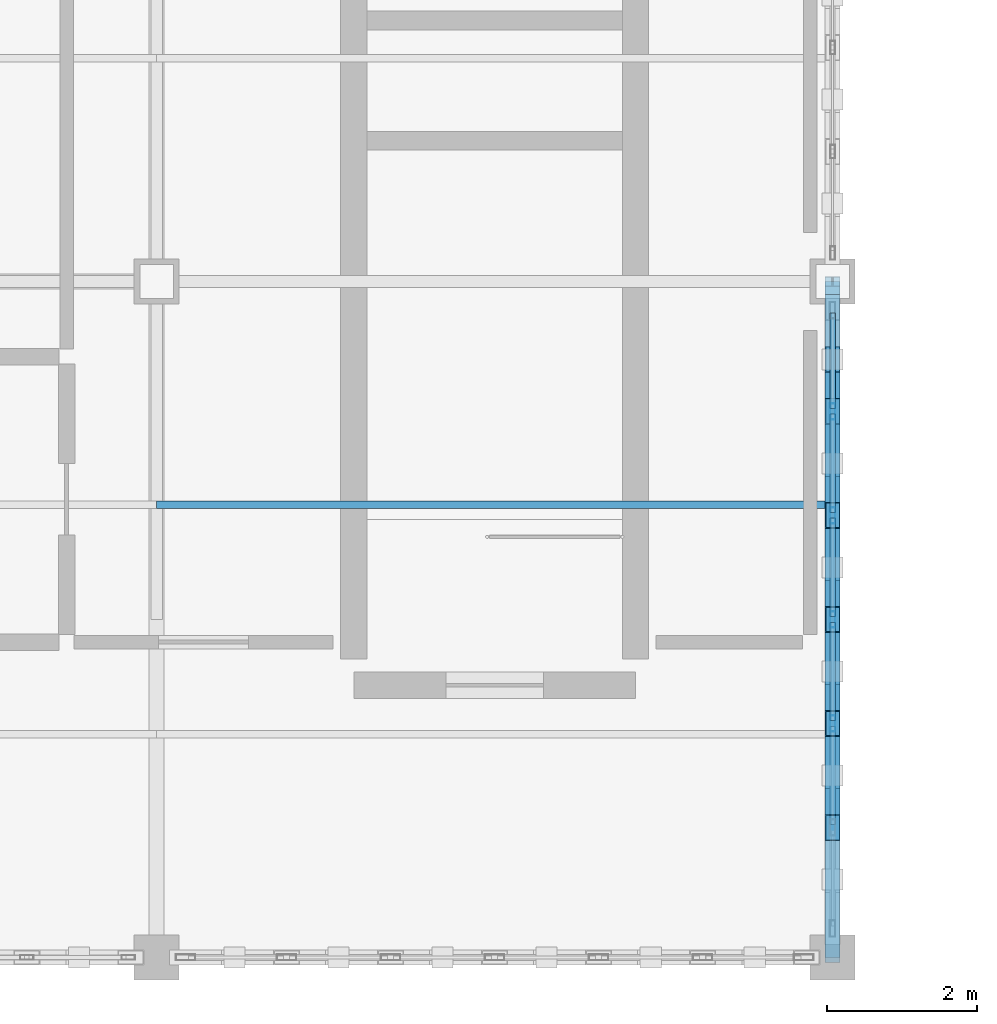
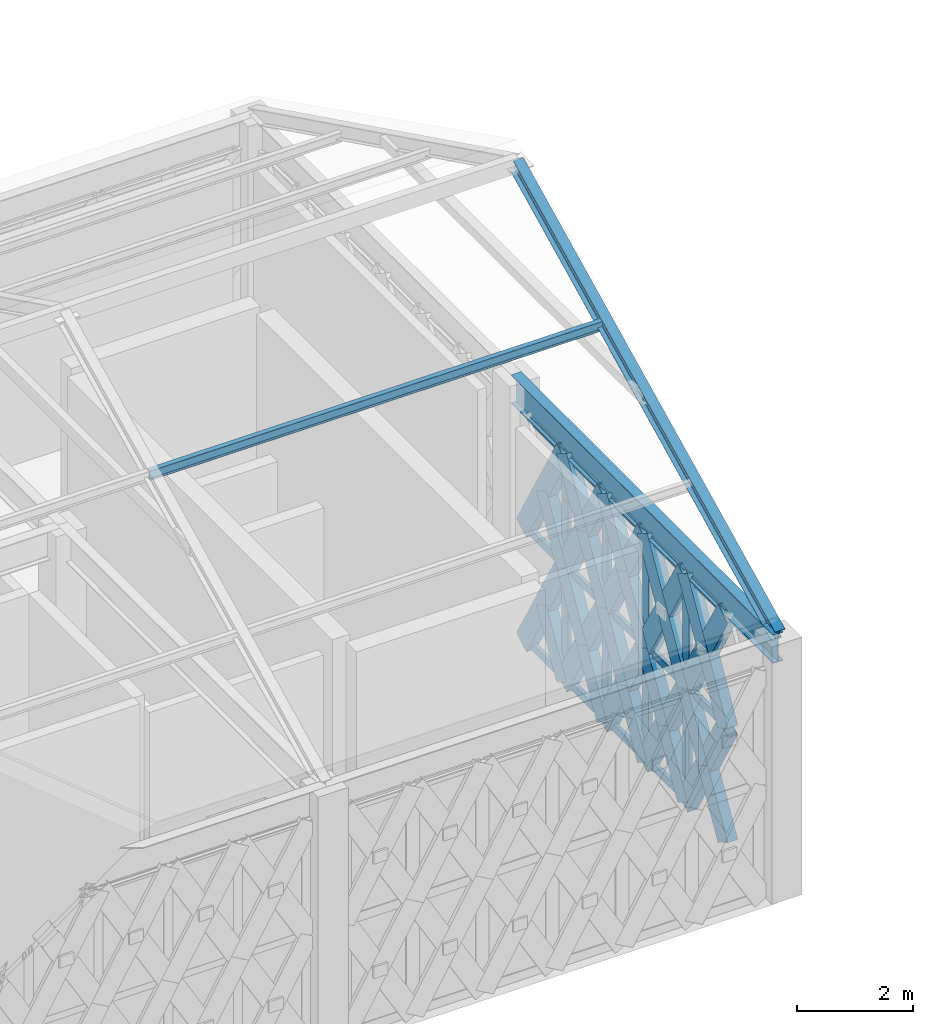
# One storey, part 15 of 32: 48 members, 1 beam, 1 element without a shape of its own.
"""IFC4 building model written with IfcOpenShell, lengths in metres."""

import ifcopenshell
import ifcopenshell.guid

model = None  # the IFC model being written
_history = None  # IfcOwnerHistory: only IFC2X3 demands one
_inside = {}  # id of a spatial element -> (the spatial element, [elements in it])
_under = {}  # id of a project, library or spatial element -> (it, [spatial elements below it])
_declared = {}  # id of a project -> (the project, [libraries it declares])
_typed = {}  # id of a type object -> (the type object, [elements of that type])
_made_of = {}  # id of a material, layer set ... -> (it, [elements and type objects made of it])


def new_model(schema):
    """Start an empty IFC model of exactly this schema.

    Asked for "IFC4X3", IfcOpenShell would pick the latest addendum, in which some entities
    have other attributes; the version numbers below select the first issue.
    IFC2X3 requires an IfcOwnerHistory on every rooted entity: one is made here for all.
    """
    global model, _history
    if schema == "IFC4X3":
        model = ifcopenshell.file(schema_version=(4, 3, 0, 0))
    else:
        model = ifcopenshell.file(schema=schema)
    _inside.clear()
    _under.clear()
    _declared.clear()
    _typed.clear()
    _made_of.clear()
    _history = None
    if model.schema == "IFC2X3":
        org = make("IfcOrganization", Name="unknown")
        user = make(
            "IfcPersonAndOrganization",
            ThePerson=make("IfcPerson", FamilyName="unknown"),
            TheOrganization=org,
        )
        app = make(
            "IfcApplication",
            ApplicationDeveloper=org,
            Version="unknown",
            ApplicationFullName="unknown",
            ApplicationIdentifier="unknown",
        )
        _history = make(
            "IfcOwnerHistory",
            OwningUser=user,
            OwningApplication=app,
            ChangeAction="ADDED",
            CreationDate=0,
        )
    return model


def make(cls, **values):
    """One entity of the class cls with the attributes given. An attribute that is None is left unset."""
    return model.create_entity(
        cls, **{name: value for name, value in values.items() if value is not None}
    )


def rooted(cls, **values):
    """An entity with a GlobalId (a new one), such as an element, a storey or a relation."""
    return make(cls, GlobalId=ifcopenshell.guid.new(), OwnerHistory=_history, **values)


def si_unit(unit_type, name, prefix=None):
    """IfcSIUnit, for example si_unit("LENGTHUNIT", "METRE", prefix="MILLI")."""
    return make("IfcSIUnit", UnitType=unit_type, Prefix=prefix, Name=name)


def assignment(units):
    """IfcUnitAssignment: the units of a project."""
    return None if units is None else make("IfcUnitAssignment", Units=units)


def point(xyz):
    """IfcCartesianPoint."""
    return None if xyz is None else make("IfcCartesianPoint", Coordinates=xyz)


def direction(xyz):
    """IfcDirection."""
    return None if xyz is None else make("IfcDirection", DirectionRatios=xyz)


def frame(location, z_axis=None, x_axis=None):
    """IfcAxis2Placement3D, a coordinate frame: its origin and axes. An axis left out is left unset."""
    return make(
        "IfcAxis2Placement3D",
        Location=point(location),
        Axis=direction(z_axis),
        RefDirection=direction(x_axis),
    )


def frame_2d(location, x_axis=None):
    """IfcAxis2Placement2D, a coordinate frame in the plane: its origin and x axis."""
    return make(
        "IfcAxis2Placement2D", Location=point(location), RefDirection=direction(x_axis)
    )


def origin():
    """The frame at (0, 0, 0) with its axes left unset."""
    return frame((0.0, 0.0, 0.0))


def origin_2d():
    """The frame at (0, 0) in the plane with its x axis left unset."""
    return frame_2d((0.0, 0.0))


def place(relative_to, where):
    """IfcLocalPlacement: puts the frame where relative to a parent placement (None: the world)."""
    return make(
        "IfcLocalPlacement", PlacementRelTo=relative_to, RelativePlacement=where
    )


def context(
    kind, dimensions, precision=None, world=None, true_north=None, identifier=None
):
    """IfcGeometricRepresentationContext, for example the 3D "Model" context."""
    return make(
        "IfcGeometricRepresentationContext",
        ContextIdentifier=identifier,
        ContextType=kind,
        CoordinateSpaceDimension=dimensions,
        Precision=precision,
        WorldCoordinateSystem=world,
        TrueNorth=true_north,
    )


def subcontext(parent, identifier, kind, view, scale=None):
    """IfcGeometricRepresentationSubContext, for example "Body" below "Model"."""
    return make(
        "IfcGeometricRepresentationSubContext",
        ContextIdentifier=identifier,
        ContextType=kind,
        ParentContext=parent,
        TargetScale=scale,
        TargetView=view,
    )


def project(units=None, contexts=None):
    """IfcProject with its units and contexts."""
    return rooted(
        "IfcProject",
        Name="project",
        RepresentationContexts=contexts,
        UnitsInContext=assignment(units),
    )


def spatial(cls, under=None, at=None, **own):
    """A site, building, storey or space (cls), placed at a placement, below another one or the project."""
    s = rooted(cls, ObjectPlacement=at, **own)
    if under is not None:
        _under.setdefault(under.id(), (under, []))[1].append(s)
    return s


def profile(cls, at=None, kind="AREA", **sizes):
    """A parametric profile (cls). Its sizes go by their IFC names, for example OverallWidth=200.0."""
    return make(cls, ProfileType=kind, Position=at, **sizes)


def hollow_rectangle(**sizes):
    """IfcRectangleHollowProfileDef."""
    return profile("IfcRectangleHollowProfileDef", **sizes)


def i_section(**sizes):
    """IfcIShapeProfileDef."""
    return profile("IfcIShapeProfileDef", **sizes)


def extrude(swept, where, along, depth):
    """IfcExtrudedAreaSolid: the profile swept, set in the frame where, extruded along a direction by depth."""
    return make(
        "IfcExtrudedAreaSolid",
        SweptArea=swept,
        Position=where,
        ExtrudedDirection=direction(along),
        Depth=depth,
    )


def shape(context_of_items, identifier, shape_type, items):
    """IfcShapeRepresentation: the items that make up one representation, for example the "Body"."""
    return make(
        "IfcShapeRepresentation",
        ContextOfItems=context_of_items,
        RepresentationIdentifier=identifier,
        RepresentationType=shape_type,
        Items=items,
    )


def material(Name=None, Category=None):
    """IfcMaterial."""
    return make("IfcMaterial", Name=Name, Category=Category)


def material_profile(
    of_material, cross_section, Name=None, Category=None, Priority=None
):
    """IfcMaterialProfile: a cross section and its material."""
    return make(
        "IfcMaterialProfile",
        Name=Name,
        Material=of_material,
        Profile=cross_section,
        Priority=Priority,
        Category=Category,
    )


def profile_set(profiles, Name=None, composite=None):
    """IfcMaterialProfileSet."""
    return make(
        "IfcMaterialProfileSet",
        Name=Name,
        MaterialProfiles=profiles,
        CompositeProfile=composite,
    )


def made_of(thing, what):
    """Note that an element or type object is made of a material, layer set ...; save() writes the relation."""
    if what is not None:
        _made_of.setdefault(what.id(), (what, []))[1].append(thing)
    return thing


def type_object(cls, material=None, **own):
    """A type object (cls), such as IfcWallType, which elements share."""
    return made_of(rooted(cls, **own), material)


def element(
    cls,
    number,
    at=None,
    inside=None,
    cuts=None,
    type_object=None,
    material=None,
    context=None,
    identifier="Body",
    shape_type=None,
    held_by="IfcProductDefinitionShape",
    body=None,
    shapes=None,
    **own,
):
    """One element of the class cls, such as IfcWall. Its Tag is "e" and its number.

    at: its placement. inside: the storey or other place that contains it. cuts: it is an
    opening in that element (IfcRelVoidsElement). A single representation is given by context,
    identifier, shape_type and body (its items); several are given by shapes. held_by: the class
    of the entity that holds the representations. save() writes the other relations.
    """
    e = rooted(cls, Tag="e%d" % number, ObjectPlacement=at, **own)
    if body is not None:
        shapes = [shape(context, identifier, shape_type, body)]
    if shapes is not None:
        e.Representation = make(held_by, Representations=shapes)
    if inside is not None:
        _inside.setdefault(inside.id(), (inside, []))[1].append(e)
    if cuts is not None:
        rooted(
            "IfcRelVoidsElement", RelatingBuildingElement=cuts, RelatedOpeningElement=e
        )
    if type_object is not None:
        _typed.setdefault(type_object.id(), (type_object, []))[1].append(e)
    return made_of(e, material)


def aggregate(whole, parts):
    """IfcRelAggregates: a whole, such as a stair, and the parts it consists of."""
    return rooted("IfcRelAggregates", RelatingObject=whole, RelatedObjects=parts)


def save(model, path):
    """Write the relations noted so far, then the file.

    IfcRelAggregates (storeys below a building ...), IfcRelContainedInSpatialStructure (elements
    in a storey), IfcRelDefinesByType, IfcRelAssociatesMaterial and IfcRelDeclares: one each for
    every whole, place, type object, material and project.
    """
    for whole, parts in _under.values():
        aggregate(whole, parts)
    for where, things in _inside.values():
        rooted(
            "IfcRelContainedInSpatialStructure",
            RelatedElements=things,
            RelatingStructure=where,
        )
    for kind, things in _typed.values():
        rooted("IfcRelDefinesByType", RelatedObjects=things, RelatingType=kind)
    for what, things in _made_of.values():
        rooted("IfcRelAssociatesMaterial", RelatedObjects=things, RelatingMaterial=what)
    for by, libraries in _declared.values():
        rooted("IfcRelDeclares", RelatingContext=by, RelatedDefinitions=libraries)
    model.write(path)


model = new_model("IFC4")

# Units and contexts
model_context = context("Model", 3, precision=1e-05, world=origin(), true_north=direction((0.0, 1.0)))
body_context = subcontext(model_context, "Body", "Model", "MODEL_VIEW")
ifc_project = project(units=[si_unit("LENGTHUNIT", "METRE"), si_unit("AREAUNIT", "SQUARE_METRE"), si_unit("VOLUMEUNIT", "CUBIC_METRE"), si_unit("PLANEANGLEUNIT", "RADIAN"), si_unit("MASSUNIT", "GRAM", prefix="KILO")], contexts=[model_context])

# Site, building, storey
site_placement = place(None, origin())
site = spatial("IfcSite", under=ifc_project, at=site_placement, CompositionType="ELEMENT")
building_placement = place(site_placement, origin())
building = spatial("IfcBuilding", under=site, at=building_placement, Name="Haizhuo Lancet Aquarium", CompositionType="ELEMENT")
storey_placement = place(building_placement, frame((0.0, 0.0, 27.0)))
storey = spatial("IfcBuildingStorey", under=building, at=storey_placement, Name="L05", CompositionType="ELEMENT", Elevation=27.0)

# Beam
ifc_material_1 = material(Name="Steel S355", Category="steel")
ifc_material_profile_1 = material_profile(ifc_material_1, i_section(OverallWidth=0.199951171875, OverallDepth=0.60009765625, WebThickness=0.010986328125, FlangeThickness=0.01708984375, FilletRadius=0.02197265625, at=origin_2d()), Name="HN 600x200x11x17")
ifc_profile_set_1 = profile_set([ifc_material_profile_1], Name="Steel S355")
beam_type = type_object("IfcBeamType", Name="BM-ST-HN600", PredefinedType="BEAM", material=ifc_profile_set_1)
beam_placement = place(storey_placement, frame((-36.0, -27.0, 5.10009765625), z_axis=(0.0, 1.0, 0.0), x_axis=(-1.0, 0.0, 0.0)))
element("IfcBeam", 1, at=beam_placement, inside=storey, type_object=beam_type, Name="L05 V6 primary girder BM-L05-V6-023", PredefinedType="BEAM", context=body_context, shape_type="SweptSolid", body=[
    extrude(i_section(OverallWidth=0.199951171875, OverallDepth=0.60009765625, WebThickness=0.010986328125, FlangeThickness=0.01708984375, FilletRadius=0.02197265625, at=origin_2d()), origin(), (0.0, 0.0, 1.0), 9.0),
])

# Curtain wall, members
ifc_material_2 = material(Name="Aluminium 6063-T6", Category="aluminium")
curtain_wall_type = type_object("IfcCurtainWallType", Name="CWD-8310x4800", PredefinedType="NOTDEFINED", material=ifc_material_2)
curtain_wall_placement = place(storey_placement, origin())
curtain_wall = element("IfcCurtainWall", 2, at=curtain_wall_placement, inside=storey, type_object=curtain_wall_type, Name="L05 curtain wall CW-V6-L05-266", PredefinedType="NOTDEFINED")
ifc_material_profile_2 = material_profile(ifc_material_2, hollow_rectangle(XDim=0.074951171875, YDim=0.219970703125, WallThickness=0.0048828125, at=origin_2d()), Name="ALU-M 75x220x5")
ifc_profile_set_2 = profile_set([ifc_material_profile_2], Name="Aluminium 6063-T6")
member_type_1 = type_object("IfcMemberType", Name="CW-MUL-2", PredefinedType="MULLION", material=ifc_profile_set_2)
member_1_placement = place(storey_placement, frame((-36.0, -19.72998046875, 0.0), z_axis=(0.0, 0.0, 1.0), x_axis=(1.0, 0.0, 0.0)))
member_1 = element("IfcMember", 3, at=member_1_placement, type_object=member_type_1, Name="CWD-83x48 mullion 2", PredefinedType="MULLION", context=body_context, shape_type="SweptSolid", body=[
    extrude(hollow_rectangle(XDim=0.074951171875, YDim=0.219970703125, WallThickness=0.0048828125, at=origin_2d()), origin(), (0.0, 0.0, 1.0), 4.800048828125),
])
member_2_placement = place(storey_placement, frame((-36.0, -21.114990234375, 0.0), z_axis=(0.0, 0.0, 1.0), x_axis=(1.0, 0.0, 0.0)))
member_2 = element("IfcMember", 4, at=member_2_placement, type_object=member_type_1, Name="CWD-83x48 mullion 3", PredefinedType="MULLION", context=body_context, shape_type="SweptSolid", body=[
    extrude(hollow_rectangle(XDim=0.074951171875, YDim=0.219970703125, WallThickness=0.0048828125, at=origin_2d()), origin(), (0.0, 0.0, 1.0), 4.800048828125),
])
member_3_placement = place(storey_placement, frame((-36.0, -22.5, 0.0), z_axis=(0.0, 0.0, 1.0), x_axis=(1.0, 0.0, 0.0)))
member_3 = element("IfcMember", 5, at=member_3_placement, type_object=member_type_1, Name="CWD-83x48 mullion 4", PredefinedType="MULLION", context=body_context, shape_type="SweptSolid", body=[
    extrude(hollow_rectangle(XDim=0.074951171875, YDim=0.219970703125, WallThickness=0.0048828125, at=origin_2d()), origin(), (0.0, 0.0, 1.0), 4.800048828125),
])
member_4_placement = place(storey_placement, frame((-36.0, -23.885009765625, 0.0), z_axis=(0.0, 0.0, 1.0), x_axis=(1.0, 0.0, 0.0)))
member_4 = element("IfcMember", 6, at=member_4_placement, type_object=member_type_1, Name="CWD-83x48 mullion 5", PredefinedType="MULLION", context=body_context, shape_type="SweptSolid", body=[
    extrude(hollow_rectangle(XDim=0.074951171875, YDim=0.219970703125, WallThickness=0.0048828125, at=origin_2d()), origin(), (0.0, 0.0, 1.0), 4.800048828125),
])
ifc_material_profile_3 = material_profile(ifc_material_2, hollow_rectangle(XDim=0.074951171875, YDim=0.159912109375, WallThickness=0.00390625, at=origin_2d()), Name="ALU-T 75x160x4")
ifc_profile_set_3 = profile_set([ifc_material_profile_3], Name="Aluminium 6063-T6")
member_type_2 = type_object("IfcMemberType", Name="CW-TRN-2", PredefinedType="NOTDEFINED", material=ifc_profile_set_3)
member_5_placement = place(storey_placement, frame((-36.0, -18.419921875, 0.0380859375), z_axis=(0.0, -1.0, 0.0), x_axis=(1.0, 0.0, 0.0)))
member_5 = element("IfcMember", 7, at=member_5_placement, type_object=member_type_2, Name="CWD-83x48 transom 1.1", ObjectType="TRANSOM", PredefinedType="USERDEFINED", context=body_context, shape_type="SweptSolid", body=[
    extrude(hollow_rectangle(XDim=0.074951171875, YDim=0.159912109375, WallThickness=0.00390625, at=origin_2d()), origin(), (0.0, 0.0, 1.0), 1.27197265625),
])
member_6_placement = place(storey_placement, frame((-36.0, -18.419921875, 2.39990234375), z_axis=(0.0, -1.0, 0.0), x_axis=(1.0, 0.0, 0.0)))
member_6 = element("IfcMember", 8, at=member_6_placement, type_object=member_type_2, Name="CWD-83x48 transom 1.2", ObjectType="TRANSOM", PredefinedType="USERDEFINED", context=body_context, shape_type="SweptSolid", body=[
    extrude(hollow_rectangle(XDim=0.074951171875, YDim=0.159912109375, WallThickness=0.00390625, at=origin_2d()), origin(), (0.0, 0.0, 1.0), 1.27197265625),
])
member_7_placement = place(storey_placement, frame((-36.0, -18.419921875, 4.761962890625), z_axis=(0.0, -1.0, 0.0), x_axis=(1.0, 0.0, 0.0)))
member_7 = element("IfcMember", 9, at=member_7_placement, type_object=member_type_2, Name="CWD-83x48 transom 1.3", ObjectType="TRANSOM", PredefinedType="USERDEFINED", context=body_context, shape_type="SweptSolid", body=[
    extrude(hollow_rectangle(XDim=0.074951171875, YDim=0.159912109375, WallThickness=0.00390625, at=origin_2d()), origin(), (0.0, 0.0, 1.0), 1.27197265625),
])
member_8_placement = place(storey_placement, frame((-36.0, -19.76708984375, 0.0380859375), z_axis=(0.0, -1.0, 0.0), x_axis=(1.0, 0.0, 0.0)))
member_8 = element("IfcMember", 10, at=member_8_placement, type_object=member_type_2, Name="CWD-83x48 transom 2.1", ObjectType="TRANSOM", PredefinedType="USERDEFINED", context=body_context, shape_type="SweptSolid", body=[
    extrude(hollow_rectangle(XDim=0.074951171875, YDim=0.159912109375, WallThickness=0.00390625, at=origin_2d()), origin(), (0.0, 0.0, 1.0), 1.310791015625),
])
member_9_placement = place(storey_placement, frame((-36.0, -19.76708984375, 2.39990234375), z_axis=(0.0, -1.0, 0.0), x_axis=(1.0, 0.0, 0.0)))
member_9 = element("IfcMember", 11, at=member_9_placement, type_object=member_type_2, Name="CWD-83x48 transom 2.2", ObjectType="TRANSOM", PredefinedType="USERDEFINED", context=body_context, shape_type="SweptSolid", body=[
    extrude(hollow_rectangle(XDim=0.074951171875, YDim=0.159912109375, WallThickness=0.00390625, at=origin_2d()), origin(), (0.0, 0.0, 1.0), 1.310791015625),
])
member_10_placement = place(storey_placement, frame((-36.0, -19.76708984375, 4.761962890625), z_axis=(0.0, -1.0, 0.0), x_axis=(1.0, 0.0, 0.0)))
member_10 = element("IfcMember", 12, at=member_10_placement, type_object=member_type_2, Name="CWD-83x48 transom 2.3", ObjectType="TRANSOM", PredefinedType="USERDEFINED", context=body_context, shape_type="SweptSolid", body=[
    extrude(hollow_rectangle(XDim=0.074951171875, YDim=0.159912109375, WallThickness=0.00390625, at=origin_2d()), origin(), (0.0, 0.0, 1.0), 1.310791015625),
])
member_11_placement = place(storey_placement, frame((-36.0, -21.152099609375, 0.0380859375), z_axis=(0.0, -1.0, 0.0), x_axis=(1.0, 0.0, 0.0)))
member_11 = element("IfcMember", 13, at=member_11_placement, type_object=member_type_2, Name="CWD-83x48 transom 3.1", ObjectType="TRANSOM", PredefinedType="USERDEFINED", context=body_context, shape_type="SweptSolid", body=[
    extrude(hollow_rectangle(XDim=0.074951171875, YDim=0.159912109375, WallThickness=0.00390625, at=origin_2d()), origin(), (0.0, 0.0, 1.0), 1.309814453125),
])
member_12_placement = place(storey_placement, frame((-36.0, -21.152099609375, 2.39990234375), z_axis=(0.0, -1.0, 0.0), x_axis=(1.0, 0.0, 0.0)))
member_12 = element("IfcMember", 14, at=member_12_placement, type_object=member_type_2, Name="CWD-83x48 transom 3.2", ObjectType="TRANSOM", PredefinedType="USERDEFINED", context=body_context, shape_type="SweptSolid", body=[
    extrude(hollow_rectangle(XDim=0.074951171875, YDim=0.159912109375, WallThickness=0.00390625, at=origin_2d()), origin(), (0.0, 0.0, 1.0), 1.309814453125),
])
member_13_placement = place(storey_placement, frame((-36.0, -21.152099609375, 4.761962890625), z_axis=(0.0, -1.0, 0.0), x_axis=(1.0, 0.0, 0.0)))
member_13 = element("IfcMember", 15, at=member_13_placement, type_object=member_type_2, Name="CWD-83x48 transom 3.3", ObjectType="TRANSOM", PredefinedType="USERDEFINED", context=body_context, shape_type="SweptSolid", body=[
    extrude(hollow_rectangle(XDim=0.074951171875, YDim=0.159912109375, WallThickness=0.00390625, at=origin_2d()), origin(), (0.0, 0.0, 1.0), 1.309814453125),
])
member_14_placement = place(storey_placement, frame((-36.0, -22.5380859375, 0.0380859375), z_axis=(0.0, -1.0, 0.0), x_axis=(1.0, 0.0, 0.0)))
member_14 = element("IfcMember", 16, at=member_14_placement, type_object=member_type_2, Name="CWD-83x48 transom 4.1", ObjectType="TRANSOM", PredefinedType="USERDEFINED", context=body_context, shape_type="SweptSolid", body=[
    extrude(hollow_rectangle(XDim=0.074951171875, YDim=0.159912109375, WallThickness=0.00390625, at=origin_2d()), origin(), (0.0, 0.0, 1.0), 1.309814453125),
])
member_15_placement = place(storey_placement, frame((-36.0, -22.5380859375, 2.39990234375), z_axis=(0.0, -1.0, 0.0), x_axis=(1.0, 0.0, 0.0)))
member_15 = element("IfcMember", 17, at=member_15_placement, type_object=member_type_2, Name="CWD-83x48 transom 4.2", ObjectType="TRANSOM", PredefinedType="USERDEFINED", context=body_context, shape_type="SweptSolid", body=[
    extrude(hollow_rectangle(XDim=0.074951171875, YDim=0.159912109375, WallThickness=0.00390625, at=origin_2d()), origin(), (0.0, 0.0, 1.0), 1.309814453125),
])
member_16_placement = place(storey_placement, frame((-36.0, -22.5380859375, 4.761962890625), z_axis=(0.0, -1.0, 0.0), x_axis=(1.0, 0.0, 0.0)))
member_16 = element("IfcMember", 18, at=member_16_placement, type_object=member_type_2, Name="CWD-83x48 transom 4.3", ObjectType="TRANSOM", PredefinedType="USERDEFINED", context=body_context, shape_type="SweptSolid", body=[
    extrude(hollow_rectangle(XDim=0.074951171875, YDim=0.159912109375, WallThickness=0.00390625, at=origin_2d()), origin(), (0.0, 0.0, 1.0), 1.309814453125),
])
member_17_placement = place(storey_placement, frame((-36.0, -23.922119140625, 2.39990234375), z_axis=(0.0, -1.0, 0.0), x_axis=(1.0, 0.0, 0.0)))
member_17 = element("IfcMember", 19, at=member_17_placement, type_object=member_type_2, Name="CWD-83x48 transom 5.2", ObjectType="TRANSOM", PredefinedType="USERDEFINED", context=body_context, shape_type="SweptSolid", body=[
    extrude(hollow_rectangle(XDim=0.074951171875, YDim=0.159912109375, WallThickness=0.00390625, at=origin_2d()), origin(), (0.0, 0.0, 1.0), 1.310791015625),
])
member_18_placement = place(storey_placement, frame((-36.0, -23.922119140625, 4.761962890625), z_axis=(0.0, -1.0, 0.0), x_axis=(1.0, 0.0, 0.0)))
member_18 = element("IfcMember", 20, at=member_18_placement, type_object=member_type_2, Name="CWD-83x48 transom 5.3", ObjectType="TRANSOM", PredefinedType="USERDEFINED", context=body_context, shape_type="SweptSolid", body=[
    extrude(hollow_rectangle(XDim=0.074951171875, YDim=0.159912109375, WallThickness=0.00390625, at=origin_2d()), origin(), (0.0, 0.0, 1.0), 1.310791015625),
])
aggregate(curtain_wall, [member_1, member_2, member_3, member_4, member_5, member_6, member_7, member_8, member_9, member_10, member_11, member_12, member_13, member_14, member_15, member_16, member_17, member_18])

# Members
ifc_material_profile_4 = material_profile(ifc_material_1, hollow_rectangle(XDim=0.199951171875, YDim=0.39990234375, WallThickness=0.011962890625, at=origin_2d()), Name="RHS 200x400x12")
ifc_profile_set_4 = profile_set([ifc_material_profile_4], Name="Steel S355")
member_type_3 = type_object("IfcMemberType", Name="MEM-LB-RHS200x400", PredefinedType="BRACE", material=ifc_profile_set_4)
member_19_placement = place(storey_placement, frame((-36.0, -18.344970703125, 0.0), z_axis=(0.0, -0.499844491261, 0.866115168182), x_axis=(1.0, 0.0, 0.0)))
element("IfcMember", 21, at=member_19_placement, inside=storey, type_object=member_type_3, Name="Gothic lancet continuous diagonal brace CW-V6-L05-266 1A", PredefinedType="BRACE", context=body_context, shape_type="SweptSolid", body=[
    extrude(hollow_rectangle(XDim=0.199951171875, YDim=0.39990234375, WallThickness=0.011962890625, at=origin_2d()), origin(), (0.0, 0.0, 1.0), 2.77099609375),
])
member_20_placement = place(storey_placement, frame((-36.0, -19.72998046875, 0.0), z_axis=(0.0, 0.499513903435, 0.86630586993), x_axis=(-1.0, 0.0, 0.0)))
element("IfcMember", 22, at=member_20_placement, inside=storey, type_object=member_type_3, Name="Gothic lancet split diagonal brace CW-V6-L05-266 1B1", PredefinedType="BRACE", context=body_context, shape_type="SweptSolid", body=[
    extrude(hollow_rectangle(XDim=0.199951171875, YDim=0.39990234375, WallThickness=0.011962890625, at=origin_2d()), origin(), (0.0, 0.0, 1.0), 1.38525390625),
])
member_21_placement = place(storey_placement, frame((-36.0, -18.344970703125, 2.39990234375), z_axis=(0.0, -0.499806349121, 0.866137179307), x_axis=(1.0, 0.0, 0.0)))
element("IfcMember", 23, at=member_21_placement, inside=storey, type_object=member_type_3, Name="Gothic lancet continuous diagonal brace CW-V6-L05-266 2A", PredefinedType="BRACE", context=body_context, shape_type="SweptSolid", body=[
    extrude(hollow_rectangle(XDim=0.199951171875, YDim=0.39990234375, WallThickness=0.011962890625, at=origin_2d()), origin(), (0.0, 0.0, 1.0), 2.77099609375),
])
member_22_placement = place(storey_placement, frame((-36.0, -19.72998046875, 2.39990234375), z_axis=(0.0, 0.499437640892, 0.866349838611), x_axis=(-1.0, 0.0, 0.0)))
element("IfcMember", 24, at=member_22_placement, inside=storey, type_object=member_type_3, Name="Gothic lancet split diagonal brace CW-V6-L05-266 2B1", PredefinedType="BRACE", context=body_context, shape_type="SweptSolid", body=[
    extrude(hollow_rectangle(XDim=0.199951171875, YDim=0.39990234375, WallThickness=0.011962890625, at=origin_2d()), origin(), (0.0, 0.0, 1.0), 1.38525390625),
])
member_23_placement = place(storey_placement, frame((-36.0, -19.72998046875, 0.0), z_axis=(0.0, -0.499844491261, 0.866115168182), x_axis=(1.0, 0.0, 0.0)))
element("IfcMember", 25, at=member_23_placement, inside=storey, type_object=member_type_3, Name="Gothic lancet continuous diagonal brace CW-V6-L05-266 3A", PredefinedType="BRACE", context=body_context, shape_type="SweptSolid", body=[
    extrude(hollow_rectangle(XDim=0.199951171875, YDim=0.39990234375, WallThickness=0.011962890625, at=origin_2d()), origin(), (0.0, 0.0, 1.0), 2.77099609375),
])
member_24_placement = place(storey_placement, frame((-36.0, -21.114990234375, 0.0), z_axis=(0.0, 0.500042739161, 0.866000726912), x_axis=(-1.0, 0.0, 0.0)))
element("IfcMember", 26, at=member_24_placement, inside=storey, type_object=member_type_3, Name="Gothic lancet split diagonal brace CW-V6-L05-266 3B1", PredefinedType="BRACE", context=body_context, shape_type="SweptSolid", body=[
    extrude(hollow_rectangle(XDim=0.199951171875, YDim=0.39990234375, WallThickness=0.011962890625, at=origin_2d()), origin(), (0.0, 0.0, 1.0), 1.3857421875),
])
member_25_placement = place(storey_placement, frame((-36.0, -20.422119140625, 1.199951171875), z_axis=(0.0, 0.499646164767, 0.866229594296), x_axis=(-1.0, 0.0, 0.0)))
element("IfcMember", 27, at=member_25_placement, inside=storey, type_object=member_type_3, Name="Gothic lancet split diagonal brace CW-V6-L05-266 3B2", PredefinedType="BRACE", context=body_context, shape_type="SweptSolid", body=[
    extrude(hollow_rectangle(XDim=0.199951171875, YDim=0.39990234375, WallThickness=0.011962890625, at=origin_2d()), origin(), (0.0, 0.0, 1.0), 1.38525390625),
])
member_26_placement = place(storey_placement, frame((-36.0, -19.72998046875, 2.39990234375), z_axis=(0.0, -0.499806349121, 0.866137179307), x_axis=(1.0, 0.0, 0.0)))
element("IfcMember", 28, at=member_26_placement, inside=storey, type_object=member_type_3, Name="Gothic lancet continuous diagonal brace CW-V6-L05-266 4A", PredefinedType="BRACE", context=body_context, shape_type="SweptSolid", body=[
    extrude(hollow_rectangle(XDim=0.199951171875, YDim=0.39990234375, WallThickness=0.011962890625, at=origin_2d()), origin(), (0.0, 0.0, 1.0), 2.77099609375),
])
member_27_placement = place(storey_placement, frame((-36.0, -21.114990234375, 2.39990234375), z_axis=(0.0, 0.499966449638, 0.866044773228), x_axis=(-1.0, 0.0, 0.0)))
element("IfcMember", 29, at=member_27_placement, inside=storey, type_object=member_type_3, Name="Gothic lancet split diagonal brace CW-V6-L05-266 4B1", PredefinedType="BRACE", context=body_context, shape_type="SweptSolid", body=[
    extrude(hollow_rectangle(XDim=0.199951171875, YDim=0.39990234375, WallThickness=0.011962890625, at=origin_2d()), origin(), (0.0, 0.0, 1.0), 1.3857421875),
])
member_28_placement = place(storey_placement, frame((-36.0, -20.422119140625, 3.60009765625), z_axis=(0.0, 0.499646164767, 0.866229594296), x_axis=(-1.0, 0.0, 0.0)))
element("IfcMember", 30, at=member_28_placement, inside=storey, type_object=member_type_3, Name="Gothic lancet split diagonal brace CW-V6-L05-266 4B2", PredefinedType="BRACE", context=body_context, shape_type="SweptSolid", body=[
    extrude(hollow_rectangle(XDim=0.199951171875, YDim=0.39990234375, WallThickness=0.011962890625, at=origin_2d()), origin(), (0.0, 0.0, 1.0), 1.38525390625),
])
member_29_placement = place(storey_placement, frame((-36.0, -21.114990234375, 0.0), z_axis=(0.0, -0.499844491261, 0.866115168182), x_axis=(1.0, 0.0, 0.0)))
element("IfcMember", 31, at=member_29_placement, inside=storey, type_object=member_type_3, Name="Gothic lancet continuous diagonal brace CW-V6-L05-266 5A", PredefinedType="BRACE", context=body_context, shape_type="SweptSolid", body=[
    extrude(hollow_rectangle(XDim=0.199951171875, YDim=0.39990234375, WallThickness=0.011962890625, at=origin_2d()), origin(), (0.0, 0.0, 1.0), 2.77099609375),
])
member_30_placement = place(storey_placement, frame((-36.0, -22.5, 0.0), z_axis=(0.0, 0.500174860769, 0.865924424332), x_axis=(-1.0, 0.0, 0.0)))
element("IfcMember", 32, at=member_30_placement, inside=storey, type_object=member_type_3, Name="Gothic lancet split diagonal brace CW-V6-L05-266 5B1", PredefinedType="BRACE", context=body_context, shape_type="SweptSolid", body=[
    extrude(hollow_rectangle(XDim=0.199951171875, YDim=0.39990234375, WallThickness=0.011962890625, at=origin_2d()), origin(), (0.0, 0.0, 1.0), 1.3857421875),
])
member_31_placement = place(storey_placement, frame((-36.0, -21.806884765625, 1.199951171875), z_axis=(0.0, 0.499513903435, 0.86630586993), x_axis=(-1.0, 0.0, 0.0)))
element("IfcMember", 33, at=member_31_placement, inside=storey, type_object=member_type_3, Name="Gothic lancet split diagonal brace CW-V6-L05-266 5B2", PredefinedType="BRACE", context=body_context, shape_type="SweptSolid", body=[
    extrude(hollow_rectangle(XDim=0.199951171875, YDim=0.39990234375, WallThickness=0.011962890625, at=origin_2d()), origin(), (0.0, 0.0, 1.0), 1.38525390625),
])
member_32_placement = place(storey_placement, frame((-36.0, -21.114990234375, 2.39990234375), z_axis=(0.0, -0.499806349121, 0.866137179307), x_axis=(1.0, 0.0, 0.0)))
element("IfcMember", 34, at=member_32_placement, inside=storey, type_object=member_type_3, Name="Gothic lancet continuous diagonal brace CW-V6-L05-266 6A", PredefinedType="BRACE", context=body_context, shape_type="SweptSolid", body=[
    extrude(hollow_rectangle(XDim=0.199951171875, YDim=0.39990234375, WallThickness=0.011962890625, at=origin_2d()), origin(), (0.0, 0.0, 1.0), 2.77099609375),
])
member_33_placement = place(storey_placement, frame((-36.0, -22.5, 2.39990234375), z_axis=(0.0, 0.500098564532, 0.865968490046), x_axis=(-1.0, 0.0, 0.0)))
element("IfcMember", 35, at=member_33_placement, inside=storey, type_object=member_type_3, Name="Gothic lancet split diagonal brace CW-V6-L05-266 6B1", PredefinedType="BRACE", context=body_context, shape_type="SweptSolid", body=[
    extrude(hollow_rectangle(XDim=0.199951171875, YDim=0.39990234375, WallThickness=0.011962890625, at=origin_2d()), origin(), (0.0, 0.0, 1.0), 1.385986328125),
])
member_34_placement = place(storey_placement, frame((-36.0, -21.806884765625, 3.60009765625), z_axis=(0.0, 0.499513903435, 0.86630586993), x_axis=(-1.0, 0.0, 0.0)))
element("IfcMember", 36, at=member_34_placement, inside=storey, type_object=member_type_3, Name="Gothic lancet split diagonal brace CW-V6-L05-266 6B2", PredefinedType="BRACE", context=body_context, shape_type="SweptSolid", body=[
    extrude(hollow_rectangle(XDim=0.199951171875, YDim=0.39990234375, WallThickness=0.011962890625, at=origin_2d()), origin(), (0.0, 0.0, 1.0), 1.38525390625),
])
member_35_placement = place(storey_placement, frame((-36.0, -22.5, 0.0), z_axis=(0.0, -0.499844491261, 0.866115168182), x_axis=(1.0, 0.0, 0.0)))
element("IfcMember", 37, at=member_35_placement, inside=storey, type_object=member_type_3, Name="Gothic lancet continuous diagonal brace CW-V6-L05-266 7A", PredefinedType="BRACE", context=body_context, shape_type="SweptSolid", body=[
    extrude(hollow_rectangle(XDim=0.199951171875, YDim=0.39990234375, WallThickness=0.011962890625, at=origin_2d()), origin(), (0.0, 0.0, 1.0), 2.77099609375),
])
member_36_placement = place(storey_placement, frame((-36.0, -23.885009765625, 0.0), z_axis=(0.0, 0.499513903435, 0.86630586993), x_axis=(-1.0, 0.0, 0.0)))
element("IfcMember", 38, at=member_36_placement, inside=storey, type_object=member_type_3, Name="Gothic lancet split diagonal brace CW-V6-L05-266 7B1", PredefinedType="BRACE", context=body_context, shape_type="SweptSolid", body=[
    extrude(hollow_rectangle(XDim=0.199951171875, YDim=0.39990234375, WallThickness=0.011962890625, at=origin_2d()), origin(), (0.0, 0.0, 1.0), 1.38525390625),
])
member_37_placement = place(storey_placement, frame((-36.0, -23.193115234375, 1.199951171875), z_axis=(0.0, 0.500174860769, 0.865924424332), x_axis=(-1.0, 0.0, 0.0)))
element("IfcMember", 39, at=member_37_placement, inside=storey, type_object=member_type_3, Name="Gothic lancet split diagonal brace CW-V6-L05-266 7B2", PredefinedType="BRACE", context=body_context, shape_type="SweptSolid", body=[
    extrude(hollow_rectangle(XDim=0.199951171875, YDim=0.39990234375, WallThickness=0.011962890625, at=origin_2d()), origin(), (0.0, 0.0, 1.0), 1.3857421875),
])
member_38_placement = place(storey_placement, frame((-36.0, -22.5, 2.39990234375), z_axis=(0.0, -0.499806349121, 0.866137179307), x_axis=(1.0, 0.0, 0.0)))
element("IfcMember", 40, at=member_38_placement, inside=storey, type_object=member_type_3, Name="Gothic lancet continuous diagonal brace CW-V6-L05-266 8A", PredefinedType="BRACE", context=body_context, shape_type="SweptSolid", body=[
    extrude(hollow_rectangle(XDim=0.199951171875, YDim=0.39990234375, WallThickness=0.011962890625, at=origin_2d()), origin(), (0.0, 0.0, 1.0), 2.77099609375),
])
member_39_placement = place(storey_placement, frame((-36.0, -23.885009765625, 2.39990234375), z_axis=(0.0, 0.499437640892, 0.866349838611), x_axis=(-1.0, 0.0, 0.0)))
element("IfcMember", 41, at=member_39_placement, inside=storey, type_object=member_type_3, Name="Gothic lancet split diagonal brace CW-V6-L05-266 8B1", PredefinedType="BRACE", context=body_context, shape_type="SweptSolid", body=[
    extrude(hollow_rectangle(XDim=0.199951171875, YDim=0.39990234375, WallThickness=0.011962890625, at=origin_2d()), origin(), (0.0, 0.0, 1.0), 1.38525390625),
])
member_40_placement = place(storey_placement, frame((-36.0, -23.193115234375, 3.60009765625), z_axis=(0.0, 0.500174860769, 0.865924424332), x_axis=(-1.0, 0.0, 0.0)))
element("IfcMember", 42, at=member_40_placement, inside=storey, type_object=member_type_3, Name="Gothic lancet split diagonal brace CW-V6-L05-266 8B2", PredefinedType="BRACE", context=body_context, shape_type="SweptSolid", body=[
    extrude(hollow_rectangle(XDim=0.199951171875, YDim=0.39990234375, WallThickness=0.011962890625, at=origin_2d()), origin(), (0.0, 0.0, 1.0), 1.3857421875),
])
member_41_placement = place(storey_placement, frame((-36.0, -23.885009765625, 0.0), z_axis=(0.0, -0.499844491261, 0.866115168182), x_axis=(1.0, 0.0, 0.0)))
element("IfcMember", 43, at=member_41_placement, inside=storey, type_object=member_type_3, Name="Gothic lancet continuous diagonal brace CW-V6-L05-266 9A", PredefinedType="BRACE", context=body_context, shape_type="SweptSolid", body=[
    extrude(hollow_rectangle(XDim=0.199951171875, YDim=0.39990234375, WallThickness=0.011962890625, at=origin_2d()), origin(), (0.0, 0.0, 1.0), 2.77099609375),
])
member_42_placement = place(storey_placement, frame((-36.0, -25.27001953125, 0.0), z_axis=(0.0, 0.499646164767, 0.866229594296), x_axis=(-1.0, 0.0, 0.0)))
element("IfcMember", 44, at=member_42_placement, inside=storey, type_object=member_type_3, Name="Gothic lancet split diagonal brace CW-V6-L05-266 9B1", PredefinedType="BRACE", context=body_context, shape_type="SweptSolid", body=[
    extrude(hollow_rectangle(XDim=0.199951171875, YDim=0.39990234375, WallThickness=0.011962890625, at=origin_2d()), origin(), (0.0, 0.0, 1.0), 1.38525390625),
])
member_43_placement = place(storey_placement, frame((-36.0, -24.577880859375, 1.199951171875), z_axis=(0.0, 0.500042739161, 0.866000726912), x_axis=(-1.0, 0.0, 0.0)))
element("IfcMember", 45, at=member_43_placement, inside=storey, type_object=member_type_3, Name="Gothic lancet split diagonal brace CW-V6-L05-266 9B2", PredefinedType="BRACE", context=body_context, shape_type="SweptSolid", body=[
    extrude(hollow_rectangle(XDim=0.199951171875, YDim=0.39990234375, WallThickness=0.011962890625, at=origin_2d()), origin(), (0.0, 0.0, 1.0), 1.3857421875),
])
member_44_placement = place(storey_placement, frame((-36.0, -23.885009765625, 2.39990234375), z_axis=(0.0, -0.499806349121, 0.866137179307), x_axis=(1.0, 0.0, 0.0)))
element("IfcMember", 46, at=member_44_placement, inside=storey, type_object=member_type_3, Name="Gothic lancet continuous diagonal brace CW-V6-L05-266 10A", PredefinedType="BRACE", context=body_context, shape_type="SweptSolid", body=[
    extrude(hollow_rectangle(XDim=0.199951171875, YDim=0.39990234375, WallThickness=0.011962890625, at=origin_2d()), origin(), (0.0, 0.0, 1.0), 2.77099609375),
])
member_45_placement = place(storey_placement, frame((-36.0, -25.27001953125, 2.39990234375), z_axis=(0.0, 0.49956989546, 0.866273582392), x_axis=(-1.0, 0.0, 0.0)))
element("IfcMember", 47, at=member_45_placement, inside=storey, type_object=member_type_3, Name="Gothic lancet split diagonal brace CW-V6-L05-266 10B1", PredefinedType="BRACE", context=body_context, shape_type="SweptSolid", body=[
    extrude(hollow_rectangle(XDim=0.199951171875, YDim=0.39990234375, WallThickness=0.011962890625, at=origin_2d()), origin(), (0.0, 0.0, 1.0), 1.385498046875),
])
member_46_placement = place(storey_placement, frame((-36.0, -24.577880859375, 3.60009765625), z_axis=(0.0, 0.500042739161, 0.866000726912), x_axis=(-1.0, 0.0, 0.0)))
element("IfcMember", 48, at=member_46_placement, inside=storey, type_object=member_type_3, Name="Gothic lancet split diagonal brace CW-V6-L05-266 10B2", PredefinedType="BRACE", context=body_context, shape_type="SweptSolid", body=[
    extrude(hollow_rectangle(XDim=0.199951171875, YDim=0.39990234375, WallThickness=0.011962890625, at=origin_2d()), origin(), (0.0, 0.0, 1.0), 1.3857421875),
])
ifc_material_profile_5 = material_profile(ifc_material_1, i_section(OverallWidth=0.10009765625, OverallDepth=0.199951171875, WebThickness=0.005615234375, FlangeThickness=0.008056640625, FilletRadius=0.008056640625, at=origin_2d()), Name="HN 200x100x5.5x8")
ifc_profile_set_5 = profile_set([ifc_material_profile_5], Name="Steel S355")
member_type_4 = type_object("IfcMemberType", Name="MEM-PR-HN200", PredefinedType="PURLIN", material=ifc_profile_set_5)
member_47_placement = place(storey_placement, frame((-45.0, -20.969970703125, 8.23095703125), z_axis=(1.0, 0.0, 0.0), x_axis=(0.0, 1.0, 0.0)))
element("IfcMember", 49, at=member_47_placement, inside=storey, type_object=member_type_4, Name="V6 south roof purlin 4", PredefinedType="PURLIN", context=body_context, shape_type="SweptSolid", body=[
    extrude(i_section(OverallWidth=0.10009765625, OverallDepth=0.199951171875, WebThickness=0.005615234375, FlangeThickness=0.008056640625, FilletRadius=0.008056640625, at=origin_2d()), origin(), (0.0, 0.0, 1.0), 9.0),
])
ifc_material_profile_6 = material_profile(ifc_material_1, i_section(OverallWidth=0.199951171875, OverallDepth=0.2939453125, WebThickness=0.008056640625, FlangeThickness=0.011962890625, FilletRadius=0.01611328125, at=origin_2d()), Name="HM 294x200x8x12")
ifc_profile_set_6 = profile_set([ifc_material_profile_6], Name="Steel S355")
member_type_5 = type_object("IfcMemberType", Name="MEM-RF-HM294", PredefinedType="RAFTER", material=ifc_profile_set_6)
member_48_placement = place(storey_placement, frame((-36.0, -27.0, 5.3701171875), z_axis=(0.0, 0.897010851352, 0.44200852091), x_axis=(-1.0, 0.0, 0.0)))
element("IfcMember", 50, at=member_48_placement, inside=storey, type_object=member_type_5, Name="V6 Gothic pitched roof south rafter 5", PredefinedType="RAFTER", context=body_context, shape_type="SweptSolid", body=[
    extrude(i_section(OverallWidth=0.199951171875, OverallDepth=0.2939453125, WebThickness=0.008056640625, FlangeThickness=0.011962890625, FilletRadius=0.01611328125, at=origin_2d()), origin(), (0.0, 0.0, 1.0), 10.033203125),
])

save(model, "model.ifc")
